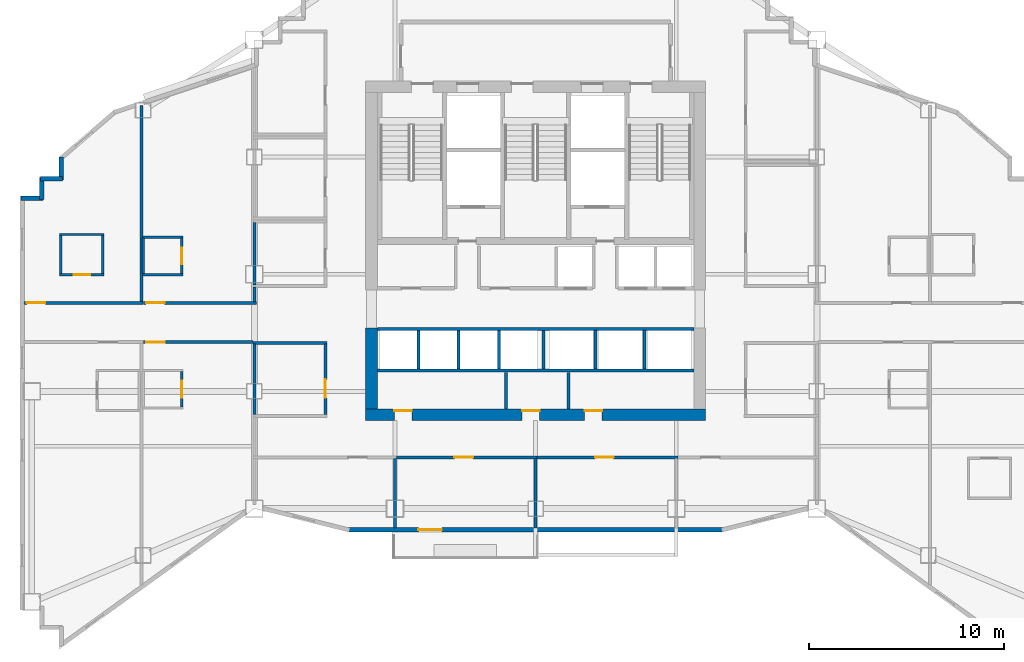
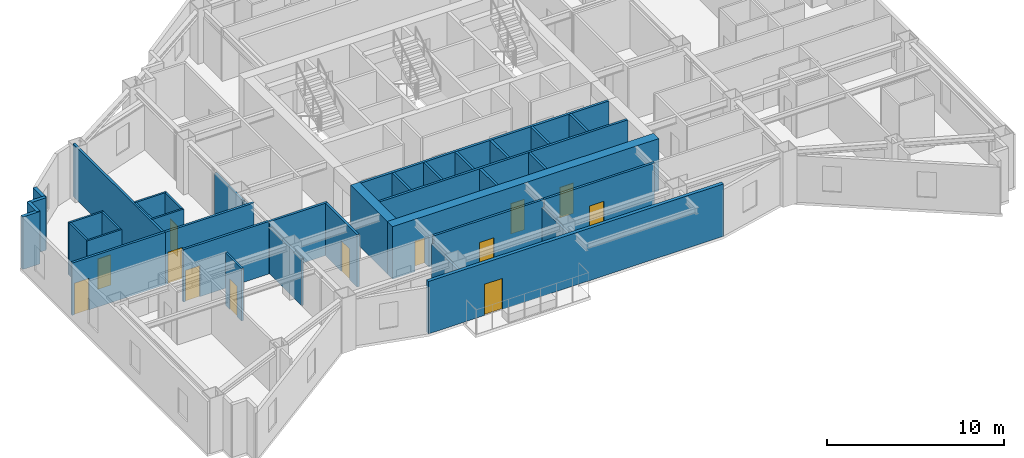
# One storey, part 5 of 11: 39 walls, 13 doors, 13 openings.
"""IFC4 building model written with IfcOpenShell, lengths in metres."""

from ifc_helpers import new_model, si_unit, direction, frame, frame_2d, origin, place, context, subcontext, project, spatial, rectangle, extrude, material, layer, layer_set, type_object, element, fill, save


model = new_model("IFC4")

# Units and contexts
model_context = context("Model", 3, precision=1e-05, world=origin(), true_north=direction((0.0, 1.0)))
body_context = subcontext(model_context, "Body", "Model", "MODEL_VIEW")
ifc_project = project(units=[si_unit("LENGTHUNIT", "METRE"), si_unit("AREAUNIT", "SQUARE_METRE"), si_unit("VOLUMEUNIT", "CUBIC_METRE"), si_unit("PLANEANGLEUNIT", "RADIAN"), si_unit("MASSUNIT", "GRAM", prefix="KILO")], contexts=[model_context])

# Site, building, storey
site_placement = place(None, origin())
site = spatial("IfcSite", under=ifc_project, at=site_placement, CompositionType="ELEMENT")
building_placement = place(site_placement, origin())
building = spatial("IfcBuilding", under=site, at=building_placement, Name="Haolan Belvedere Tower", CompositionType="ELEMENT")
storey_placement = place(building_placement, frame((0.0, 0.0, 172.800048828125)))
storey = spatial("IfcBuildingStorey", under=building, at=storey_placement, Name="L43", CompositionType="ELEMENT", Elevation=172.800048828125)

# Wall, openings, doors
ifc_material_1 = material(Name="Concrete C60/75", Category="concrete")
ifc_layer_1 = layer(ifc_material_1, 0.60009765625, Name="Concrete C60/75")
ifc_layer_set_1 = layer_set([ifc_layer_1], Name="Concrete C60/75")
wall_type_1 = type_object("IfcWallType", Name="WL-CORE-600", PredefinedType="SHEAR", material=ifc_layer_set_1)
wall_1_placement = place(storey_placement, frame((29.699951171875, 26.39990234375, 0.0), z_axis=(0.0, 0.0, 1.0), x_axis=(1.0, 0.0, 0.0)))
wall_1 = element("IfcWall", 1, at=wall_1_placement, inside=storey, type_object=wall_type_1, Name="L43 central core south shear wall", PredefinedType="SHEAR", context=body_context, shape_type="SweptSolid", body=[
    extrude(rectangle(XDim=17.400146484375, YDim=0.60009765625, at=frame_2d((8.7001953125, 0.0))), origin(), (0.0, 0.0, 1.0), 3.619873046875),
])
opening_1_placement = place(wall_1_placement, frame((2.369873046875, 0.0, 0.0), z_axis=(0.0, 0.0, 1.0), x_axis=(-1.0, 0.0, 0.0)))
opening_1 = element("IfcOpeningElement", 2, at=opening_1_placement, cuts=wall_1, Name="Opening FD-05", PredefinedType="OPENING", context=body_context, shape_type="SweptSolid", body=[
    extrude(rectangle(XDim=0.89990234375, YDim=2.10009765625, at=frame_2d((0.449951171875, 1.050048828125))), frame((0.0, 0.31005859375, 0.0), z_axis=(0.0, -1.0, 0.0), x_axis=(1.0, 0.0, 0.0)), (0.0, 0.0, 1.0), 0.6201171875),
])
opening_2_placement = place(wall_1_placement, frame((8.909912109375, 0.0, 0.0), z_axis=(0.0, 0.0, 1.0), x_axis=(-1.0, 0.0, 0.0)))
opening_2 = element("IfcOpeningElement", 3, at=opening_2_placement, cuts=wall_1, Name="Opening FD-05", PredefinedType="OPENING", context=body_context, shape_type="SweptSolid", body=[
    extrude(rectangle(XDim=0.89990234375, YDim=2.10009765625, at=frame_2d((0.449951171875, 1.050048828125))), frame((0.0, 0.31005859375, 0.0), z_axis=(0.0, -1.0, 0.0), x_axis=(1.0, 0.0, 0.0)), (0.0, 0.0, 1.0), 0.6201171875),
])
opening_3_placement = place(wall_1_placement, frame((12.10986328125, 0.0, 0.0), z_axis=(0.0, 0.0, 1.0), x_axis=(-1.0, 0.0, 0.0)))
opening_3 = element("IfcOpeningElement", 4, at=opening_3_placement, cuts=wall_1, Name="Opening FD-05", PredefinedType="OPENING", context=body_context, shape_type="SweptSolid", body=[
    extrude(rectangle(XDim=0.89990234375, YDim=2.10009765625, at=frame_2d((0.449951171875, 1.050048828125))), frame((0.0, 0.31005859375, 0.0), z_axis=(0.0, -1.0, 0.0), x_axis=(1.0, 0.0, 0.0)), (0.0, 0.0, 1.0), 0.6201171875),
])
ifc_material_2 = material(Name="Galvanised fire-rated steel", Category="steel")
door_type_1 = type_object("IfcDoorType", Name="DR-FD60-900", OperationType="NOTDEFINED", PredefinedType="DOOR", material=ifc_material_2)
door_1_placement = place(opening_1_placement, origin())
door_1 = element("IfcDoor", 5, at=door_1_placement, inside=storey, type_object=door_type_1, Name="L43 door CD-L43-SCV-1", OperationType="SINGLE_SWING_LEFT", OverallHeight=2.10009765625, OverallWidth=0.89990234375, PredefinedType="DOOR", context=body_context, shape_type="SweptSolid", body=[
    extrude(rectangle(XDim=0.89990234375, YDim=2.10009765625, at=frame_2d((0.449951171875, 1.050048828125))), frame((0.0, -0.19482421875, 0.0), z_axis=(0.0, -1.0, 0.0), x_axis=(1.0, 0.0, 0.0)), (0.0, 0.0, 1.0), 0.050048828125),
])
fill(opening_1, door_1)
door_2_placement = place(opening_2_placement, origin())
door_2 = element("IfcDoor", 6, at=door_2_placement, inside=storey, type_object=door_type_1, Name="L43 door CD-L43-SCV-2", OperationType="SINGLE_SWING_RIGHT", OverallHeight=2.10009765625, OverallWidth=0.89990234375, PredefinedType="DOOR", context=body_context, shape_type="SweptSolid", body=[
    extrude(rectangle(XDim=0.89990234375, YDim=2.10009765625, at=frame_2d((0.449951171875, 1.050048828125))), frame((0.0, -0.19482421875, 0.0), z_axis=(0.0, -1.0, 0.0), x_axis=(1.0, 0.0, 0.0)), (0.0, 0.0, 1.0), 0.050048828125),
])
fill(opening_2, door_2)
door_3_placement = place(opening_3_placement, origin())
door_3 = element("IfcDoor", 7, at=door_3_placement, inside=storey, type_object=door_type_1, Name="L43 door CD-L43-SCV-3", OperationType="SINGLE_SWING_LEFT", OverallHeight=2.10009765625, OverallWidth=0.89990234375, PredefinedType="DOOR", context=body_context, shape_type="SweptSolid", body=[
    extrude(rectangle(XDim=0.89990234375, YDim=2.10009765625, at=frame_2d((0.449951171875, 1.050048828125))), frame((0.0, -0.19482421875, 0.0), z_axis=(0.0, -1.0, 0.0), x_axis=(1.0, 0.0, 0.0)), (0.0, 0.0, 1.0), 0.050048828125),
])
fill(opening_3, door_3)

# Wall
wall_2_placement = place(storey_placement, frame((30.0, 26.699951171875, 0.0), z_axis=(0.0, 0.0, 1.0), x_axis=(0.0, 1.0, 0.0)))
element("IfcWall", 8, at=wall_2_placement, inside=storey, type_object=wall_type_1, Name="L43 central core shear wall WS", PredefinedType="SHEAR", context=body_context, shape_type="SweptSolid", body=[
    extrude(rectangle(XDim=4.150146484375, YDim=0.60009765625, at=frame_2d((2.0751953125, 0.0))), origin(), (0.0, 0.0, 1.0), 3.619873046875),
])

# Wall, opening, door
ifc_material_3 = material(Name="Precast concrete C40/50", Category="concrete")
ifc_layer_2 = layer(ifc_material_3, 0.219970703125, Name="Precast concrete C40/50")
ifc_layer_set_2 = layer_set([ifc_layer_2], Name="Precast concrete C40/50")
wall_type_2 = type_object("IfcWallType", Name="WL-EXT-220", PredefinedType="SOLIDWALL", material=ifc_layer_set_2)
wall_3_placement = place(storey_placement, frame((28.758544921875, 20.510009765625, 0.0), z_axis=(0.0, 0.0, 1.0), x_axis=(1.0, 0.0, 0.0)))
wall_3 = element("IfcWall", 9, at=wall_3_placement, inside=storey, type_object=wall_type_2, Name="L43 pale-metal exterior spandrel wall 1.1", PredefinedType="SOLIDWALL", context=body_context, shape_type="SweptSolid", body=[
    extrude(rectangle(XDim=19.282958984375, YDim=0.219970703125, at=frame_2d((9.6416015625, 0.0))), origin(), (0.0, 0.0, 1.0), 3.619873046875),
])
opening_4_placement = place(wall_3_placement, frame((4.841552734375, 0.0, 0.0), z_axis=(0.0, 0.0, 1.0), x_axis=(-1.0, 0.0, 0.0)))
opening_4 = element("IfcOpeningElement", 10, at=opening_4_placement, cuts=wall_3, Name="Opening BD-01", PredefinedType="OPENING", context=body_context, shape_type="SweptSolid", body=[
    extrude(rectangle(XDim=1.199951171875, YDim=2.14990234375, at=frame_2d((0.60009765625, 1.074951171875))), frame((0.0, 0.119873046875, 0.0), z_axis=(0.0, -1.0, 0.0), x_axis=(1.0, 0.0, 0.0)), (0.0, 0.0, 1.0), 0.239990234375),
])
ifc_material_4 = material(Name="Thermally broken pale-metal aluminium and Low-E glass", Category="aluminium")
door_type_2 = type_object("IfcDoorType", Name="DR-BAL-1200", OperationType="NOTDEFINED", PredefinedType="DOOR", material=ifc_material_4)
door_4_placement = place(opening_4_placement, origin())
door_4 = element("IfcDoor", 11, at=door_4_placement, inside=storey, type_object=door_type_2, Name="L43 tree-balcony access door 1", OperationType="SINGLE_SWING_LEFT", OverallHeight=2.14990234375, OverallWidth=1.199951171875, PredefinedType="DOOR", context=body_context, shape_type="SweptSolid", body=[
    extrude(rectangle(XDim=1.199951171875, YDim=2.14990234375, at=frame_2d((0.60009765625, 1.074951171875))), frame((0.0, 0.02490234375, 0.0), z_axis=(0.0, -1.0, 0.0), x_axis=(1.0, 0.0, 0.0)), (0.0, 0.0, 1.0), 0.050048828125),
])
fill(opening_4, door_4)

# Walls
wall_4_placement = place(storey_placement, frame((14.110107421875, 39.6044921875, 0.0), z_axis=(0.0, 0.0, 1.0), x_axis=(0.0, -1.0, 0.0)))
element("IfcWall", 12, at=wall_4_placement, inside=storey, type_object=wall_type_2, Name="L43 pale-metal exterior spandrel wall 31.1", PredefinedType="SOLIDWALL", context=body_context, shape_type="SweptSolid", body=[
    extrude(rectangle(XDim=1.16943359375, YDim=0.219970703125, at=frame_2d((0.584716796875, 0.0))), origin(), (0.0, 0.0, 1.0), 3.619873046875),
])
wall_5_placement = place(storey_placement, frame((14.1650390625, 38.489990234375, 0.0), z_axis=(0.0, 0.0, 1.0), x_axis=(-1.0, 0.0, 0.0)))
element("IfcWall", 13, at=wall_5_placement, inside=storey, type_object=wall_type_2, Name="L43 pale-metal exterior spandrel wall 32.1", PredefinedType="SOLIDWALL", context=body_context, shape_type="SweptSolid", body=[
    extrude(rectangle(XDim=1.110107421875, YDim=0.219970703125, at=frame_2d((0.55517578125, 0.0))), origin(), (0.0, 0.0, 1.0), 3.619873046875),
])
wall_6_placement = place(storey_placement, frame((13.110107421875, 38.544921875, 0.0), z_axis=(0.0, 0.0, 1.0), x_axis=(0.0, -1.0, 0.0)))
element("IfcWall", 14, at=wall_6_placement, inside=storey, type_object=wall_type_2, Name="L43 pale-metal exterior spandrel wall 33.1", PredefinedType="SOLIDWALL", context=body_context, shape_type="SweptSolid", body=[
    extrude(rectangle(XDim=1.10986328125, YDim=0.219970703125, at=frame_2d((0.554931640625, 0.0))), origin(), (0.0, 0.0, 1.0), 3.619873046875),
])
wall_7_placement = place(storey_placement, frame((13.1650390625, 37.489990234375, 0.0), z_axis=(0.0, 0.0, 1.0), x_axis=(-1.0, 0.0, 0.0)))
element("IfcWall", 15, at=wall_7_placement, inside=storey, type_object=wall_type_2, Name="L43 pale-metal exterior spandrel wall 34.1", PredefinedType="SOLIDWALL", context=body_context, shape_type="SweptSolid", body=[
    extrude(rectangle(XDim=1.110107421875, YDim=0.219970703125, at=frame_2d((0.55517578125, 0.0))), origin(), (0.0, 0.0, 1.0), 3.619873046875),
])
ifc_material_5 = material(Name="Double gypsum acoustic stud partition", Category="masonry")
ifc_layer_3 = layer(ifc_material_5, 0.14990234375, Name="Double gypsum acoustic stud partition")
ifc_layer_set_3 = layer_set([ifc_layer_3], Name="Double gypsum acoustic stud partition")
wall_type_3 = type_object("IfcWallType", Name="WL-PART-150", PredefinedType="PARTITIONING", material=ifc_layer_set_3)
wall_8_placement = place(storey_placement, frame((30.300048828125, 28.659912109375, 0.0), z_axis=(0.0, 0.0, 1.0), x_axis=(1.0, 0.0, 0.0)))
element("IfcWall", 16, at=wall_8_placement, inside=storey, type_object=wall_type_3, Name="L43 interior partition IW-L43-SSTRIP-N", PredefinedType="PARTITIONING", context=body_context, shape_type="SweptSolid", body=[
    extrude(rectangle(XDim=16.199951171875, YDim=0.14990234375, at=frame_2d((8.10009765625, 0.0))), origin(), (0.0, 0.0, 1.0), 3.619873046875),
])
for number, where, z_axis, x_axis, name in (
    (17, (36.8798828125, 26.7099609375, 0.0), (0.0, 0.0, 1.0), (0.0, 1.0, 0.0), "L43 interior partition IW-L43-SCV-DIV-1"),
    (18, (40.080078125, 26.7099609375, 0.0), (0.0, 0.0, 1.0), (0.0, 1.0, 0.0), "L43 interior partition IW-L43-SCV-DIV-2"),
):
    element("IfcWall", number, at=place(storey_placement, frame(where, z_axis=z_axis, x_axis=x_axis)), inside=storey, type_object=wall_type_3, Name=name, PredefinedType="PARTITIONING", context=body_context, shape_type="SweptSolid", body=[
        extrude(rectangle(XDim=1.8701171875, YDim=0.14990234375, at=frame_2d((0.93505859375, 0.0))), origin(), (0.0, 0.0, 1.0), 3.619873046875),
    ])
wall_9_placement = place(storey_placement, frame((24.0, 33.06005859375, 0.0), z_axis=(0.0, 0.0, 1.0), x_axis=(0.0, 1.0, 0.0)))
element("IfcWall", 19, at=wall_9_placement, inside=storey, type_object=wall_type_3, Name="L43 interior partition IW-L43-AWC-W", PredefinedType="PARTITIONING", context=body_context, shape_type="SweptSolid", body=[
    extrude(rectangle(XDim=3.179931640625, YDim=0.14990234375, at=frame_2d((1.58984375, 0.0))), origin(), (0.0, 0.0, 1.0), 3.21484375),
])
wall_10_placement = place(storey_placement, frame((23.919921875, 30.080078125, 0.0), z_axis=(0.0, 0.0, 1.0), x_axis=(1.0, 0.0, 0.0)))
element("IfcWall", 20, at=wall_10_placement, inside=storey, type_object=wall_type_3, Name="L43 interior partition IW-L43-PKTW-N", PredefinedType="PARTITIONING", context=body_context, shape_type="SweptSolid", body=[
    extrude(rectangle(XDim=3.800048828125, YDim=0.14990234375, at=frame_2d((1.89990234375, 0.0))), origin(), (0.0, 0.0, 1.0), 3.619873046875),
])
wall_11_placement = place(storey_placement, frame((24.0, 26.409912109375, 0.0), z_axis=(0.0, 0.0, 1.0), x_axis=(0.0, 1.0, 0.0)))
element("IfcWall", 21, at=wall_11_placement, inside=storey, type_object=wall_type_3, Name="L43 interior partition IW-L43-PKTW-W", PredefinedType="PARTITIONING", context=body_context, shape_type="SweptSolid", body=[
    extrude(rectangle(XDim=3.610107421875, YDim=0.14990234375, at=frame_2d((1.80517578125, 0.0))), origin(), (0.0, 0.0, 1.0), 3.21484375),
])

# Wall, opening, door
wall_12_placement = place(storey_placement, frame((27.639892578125, 26.409912109375, 0.0), z_axis=(0.0, 0.0, 1.0), x_axis=(0.0, 1.0, 0.0)))
wall_12 = element("IfcWall", 22, at=wall_12_placement, inside=storey, type_object=wall_type_3, Name="L43 interior partition IW-L43-PKTW-E", PredefinedType="PARTITIONING", context=body_context, shape_type="SweptSolid", body=[
    extrude(rectangle(XDim=3.610107421875, YDim=0.14990234375, at=frame_2d((1.80517578125, 0.0))), origin(), (0.0, 0.0, 1.0), 3.619873046875),
])
opening_5_placement = place(wall_12_placement, frame((1.81005859375, 0.0, 0.0), z_axis=(0.0, 0.0, 1.0), x_axis=(-1.0, 0.0, 0.0)))
opening_5 = element("IfcOpeningElement", 23, at=opening_5_placement, cuts=wall_12, Name="Opening ID-03", PredefinedType="OPENING", context=body_context, shape_type="SweptSolid", body=[
    extrude(rectangle(XDim=0.949951171875, YDim=2.1201171875, at=frame_2d((0.47509765625, 1.06005859375))), frame((0.0, 0.0849609375, 0.0), z_axis=(0.0, -1.0, 0.0), x_axis=(1.0, 0.0, 0.0)), (0.0, 0.0, 1.0), 0.169921875),
])
ifc_material_6 = material(Name="Painted solid-core timber", Category="wood")
door_type_3 = type_object("IfcDoorType", Name="DR-INT-950", OperationType="NOTDEFINED", PredefinedType="DOOR", material=ifc_material_6)
door_5_placement = place(opening_5_placement, origin())
door_5 = element("IfcDoor", 24, at=door_5_placement, inside=storey, type_object=door_type_3, Name="L43 door ID-L43-PKTW", OperationType="SINGLE_SWING_LEFT", OverallHeight=2.1201171875, OverallWidth=0.949951171875, PredefinedType="DOOR", context=body_context, shape_type="SweptSolid", body=[
    extrude(rectangle(XDim=0.949951171875, YDim=2.1201171875, at=frame_2d((0.47509765625, 1.06005859375))), frame((0.0, 0.02490234375, 0.0), z_axis=(0.0, -1.0, 0.0), x_axis=(1.0, 0.0, 0.0)), (0.0, 0.0, 1.0), 0.050048828125),
])
fill(opening_5, door_5)

# Wall
wall_13_placement = place(storey_placement, frame((31.199951171875, 20.612060546875, 0.0), z_axis=(0.0, 0.0, 1.0), x_axis=(0.0, 1.0, 0.0)))
element("IfcWall", 25, at=wall_13_placement, inside=storey, type_object=wall_type_3, Name="L43 interior partition IW-L43-KS1-E", PredefinedType="PARTITIONING", context=body_context, shape_type="SweptSolid", body=[
    extrude(rectangle(XDim=3.5478515625, YDim=0.14990234375, at=frame_2d((1.77392578125, 0.0))), origin(), (0.0, 0.0, 1.0), 3.10498046875),
])

# Wall, opening, door
wall_14_placement = place(storey_placement, frame((31.281982421875, 24.219970703125, 0.0), z_axis=(0.0, 0.0, 1.0), x_axis=(1.0, 0.0, 0.0)))
wall_14 = element("IfcWall", 26, at=wall_14_placement, inside=storey, type_object=wall_type_3, Name="L43 interior partition IW-L43-KS2-N", PredefinedType="PARTITIONING", context=body_context, shape_type="SweptSolid", body=[
    extrude(rectangle(XDim=7.197998046875, YDim=0.14990234375, at=frame_2d((3.59912109375, 0.0))), origin(), (0.0, 0.0, 1.0), 3.619873046875),
])
opening_6_placement = place(wall_14_placement, frame((3.912841796875, 0.0, 0.0), z_axis=(0.0, 0.0, 1.0), x_axis=(-1.0, 0.0, 0.0)))
opening_6 = element("IfcOpeningElement", 27, at=opening_6_placement, cuts=wall_14, Name="Opening ID-03", PredefinedType="OPENING", context=body_context, shape_type="SweptSolid", body=[
    extrude(rectangle(XDim=0.949951171875, YDim=2.1201171875, at=frame_2d((0.47509765625, 1.06005859375))), frame((0.0, 0.0849609375, 0.0), z_axis=(0.0, -1.0, 0.0), x_axis=(1.0, 0.0, 0.0)), (0.0, 0.0, 1.0), 0.169921875),
])
door_6_placement = place(opening_6_placement, origin())
door_6 = element("IfcDoor", 28, at=door_6_placement, inside=storey, type_object=door_type_3, Name="L43 door ID-L43-KS2", OperationType="SINGLE_SWING_RIGHT", OverallHeight=2.1201171875, OverallWidth=0.949951171875, PredefinedType="DOOR", context=body_context, shape_type="SweptSolid", body=[
    extrude(rectangle(XDim=0.949951171875, YDim=2.1201171875, at=frame_2d((0.47509765625, 1.06005859375))), frame((0.0, 0.02490234375, 0.0), z_axis=(0.0, -1.0, 0.0), x_axis=(1.0, 0.0, 0.0)), (0.0, 0.0, 1.0), 0.050048828125),
])
fill(opening_6, door_6)

# Wall
wall_15_placement = place(storey_placement, frame((38.39990234375, 20.612060546875, 0.0), z_axis=(0.0, 0.0, 1.0), x_axis=(0.0, 1.0, 0.0)))
element("IfcWall", 29, at=wall_15_placement, inside=storey, type_object=wall_type_3, Name="L43 interior partition IW-L43-KS2-E", PredefinedType="PARTITIONING", context=body_context, shape_type="SweptSolid", body=[
    extrude(rectangle(XDim=3.5478515625, YDim=0.14990234375, at=frame_2d((1.77392578125, 0.0))), origin(), (0.0, 0.0, 1.0), 3.10498046875),
])

# Wall, opening, door
wall_16_placement = place(storey_placement, frame((38.48193359375, 24.219970703125, 0.0), z_axis=(0.0, 0.0, 1.0), x_axis=(1.0, 0.0, 0.0)))
wall_16 = element("IfcWall", 30, at=wall_16_placement, inside=storey, type_object=wall_type_3, Name="L43 interior partition IW-L43-KS3-N", PredefinedType="PARTITIONING", context=body_context, shape_type="SweptSolid", body=[
    extrude(rectangle(XDim=7.197998046875, YDim=0.14990234375, at=frame_2d((3.59912109375, 0.0))), origin(), (0.0, 0.0, 1.0), 3.619873046875),
])
opening_7_placement = place(wall_16_placement, frame((3.912841796875, 0.0, 0.0), z_axis=(0.0, 0.0, 1.0), x_axis=(-1.0, 0.0, 0.0)))
opening_7 = element("IfcOpeningElement", 31, at=opening_7_placement, cuts=wall_16, Name="Opening ID-03", PredefinedType="OPENING", context=body_context, shape_type="SweptSolid", body=[
    extrude(rectangle(XDim=0.949951171875, YDim=2.1201171875, at=frame_2d((0.47509765625, 1.06005859375))), frame((0.0, 0.0849609375, 0.0), z_axis=(0.0, -1.0, 0.0), x_axis=(1.0, 0.0, 0.0)), (0.0, 0.0, 1.0), 0.169921875),
])
door_7_placement = place(opening_7_placement, origin())
door_7 = element("IfcDoor", 32, at=door_7_placement, inside=storey, type_object=door_type_3, Name="L43 door ID-L43-KS3", OperationType="SINGLE_SWING_LEFT", OverallHeight=2.1201171875, OverallWidth=0.949951171875, PredefinedType="DOOR", context=body_context, shape_type="SweptSolid", body=[
    extrude(rectangle(XDim=0.949951171875, YDim=2.1201171875, at=frame_2d((0.47509765625, 1.06005859375))), frame((0.0, 0.02490234375, 0.0), z_axis=(0.0, -1.0, 0.0), x_axis=(1.0, 0.0, 0.0)), (0.0, 0.0, 1.0), 0.050048828125),
])
fill(opening_7, door_7)

wall_17_placement = place(storey_placement, frame((12.2119140625, 32.1298828125, 0.0), z_axis=(0.0, 0.0, 1.0), x_axis=(1.0, 0.0, 0.0)))
wall_17 = element("IfcWall", 33, at=wall_17_placement, inside=storey, type_object=wall_type_3, Name="L43 interior partition IW-L43-T2N1-S", PredefinedType="PARTITIONING", context=body_context, shape_type="SweptSolid", body=[
    extrude(rectangle(XDim=6.09814453125, YDim=0.14990234375, at=frame_2d((3.049072265625, 0.0))), origin(), (0.0, 0.0, 1.0), 3.619873046875),
])
opening_8_placement = place(wall_17_placement, frame((0.139892578125, 0.0, 0.0)))
opening_8 = element("IfcOpeningElement", 34, at=opening_8_placement, cuts=wall_17, Name="Opening ID-01", PredefinedType="OPENING", context=body_context, shape_type="SweptSolid", body=[
    extrude(rectangle(XDim=0.949951171875, YDim=2.179931640625, at=frame_2d((0.47509765625, 1.08984375))), frame((0.0, 0.0849609375, 0.0), z_axis=(0.0, -1.0, 0.0), x_axis=(1.0, 0.0, 0.0)), (0.0, 0.0, 1.0), 0.169921875),
])
ifc_material_7 = material(Name="Acoustic walnut veneer fire-rated timber", Category="wood")
door_type_4 = type_object("IfcDoorType", Name="DR-SUITE-950", OperationType="NOTDEFINED", PredefinedType="DOOR", material=ifc_material_7)
door_8_placement = place(opening_8_placement, origin())
door_8 = element("IfcDoor", 35, at=door_8_placement, inside=storey, type_object=door_type_4, Name="L43 door ID-L43-T2N1-ENT", OperationType="SINGLE_SWING_LEFT", OverallHeight=2.179931640625, OverallWidth=0.949951171875, PredefinedType="DOOR", context=body_context, shape_type="SweptSolid", body=[
    extrude(rectangle(XDim=0.949951171875, YDim=2.179931640625, at=frame_2d((0.47509765625, 1.08984375))), frame((0.0, 0.02490234375, 0.0), z_axis=(0.0, -1.0, 0.0), x_axis=(1.0, 0.0, 0.0)), (0.0, 0.0, 1.0), 0.050048828125),
])
fill(opening_8, door_8)

# Wall
wall_18_placement = place(storey_placement, frame((18.2099609375, 32.18994140625, 0.0), z_axis=(0.0, 0.0, 1.0), x_axis=(0.0, 1.0, 0.0)))
element("IfcWall", 36, at=wall_18_placement, inside=storey, type_object=wall_type_3, Name="L43 interior partition IW-L43-T2N1-E", PredefinedType="PARTITIONING", context=body_context, shape_type="SweptSolid", body=[
    extrude(rectangle(XDim=10.056640625, YDim=0.14990234375, at=frame_2d((5.0283203125, 0.0))), origin(), (0.0, 0.0, 1.0), 3.619873046875),
])

# Wall, opening, door
wall_19_placement = place(storey_placement, frame((18.31201171875, 32.1298828125, 0.0), z_axis=(0.0, 0.0, 1.0), x_axis=(1.0, 0.0, 0.0)))
wall_19 = element("IfcWall", 37, at=wall_19_placement, inside=storey, type_object=wall_type_3, Name="L43 interior partition IW-L43-T2N2-S", PredefinedType="PARTITIONING", context=body_context, shape_type="SweptSolid", body=[
    extrude(rectangle(XDim=5.7880859375, YDim=0.14990234375, at=frame_2d((2.89404296875, 0.0))), origin(), (0.0, 0.0, 1.0), 3.619873046875),
])
opening_9_placement = place(wall_19_placement, frame((0.139892578125, 0.0, 0.0)))
opening_9 = element("IfcOpeningElement", 38, at=opening_9_placement, cuts=wall_19, Name="Opening ID-01", PredefinedType="OPENING", context=body_context, shape_type="SweptSolid", body=[
    extrude(rectangle(XDim=0.949951171875, YDim=2.179931640625, at=frame_2d((0.47509765625, 1.08984375))), frame((0.0, 0.0849609375, 0.0), z_axis=(0.0, -1.0, 0.0), x_axis=(1.0, 0.0, 0.0)), (0.0, 0.0, 1.0), 0.169921875),
])
door_9_placement = place(opening_9_placement, origin())
door_9 = element("IfcDoor", 39, at=door_9_placement, inside=storey, type_object=door_type_4, Name="L43 door ID-L43-T2N2-ENT", OperationType="SINGLE_SWING_RIGHT", OverallHeight=2.179931640625, OverallWidth=0.949951171875, PredefinedType="DOOR", context=body_context, shape_type="SweptSolid", body=[
    extrude(rectangle(XDim=0.949951171875, YDim=2.179931640625, at=frame_2d((0.47509765625, 1.08984375))), frame((0.0, 0.02490234375, 0.0), z_axis=(0.0, -1.0, 0.0), x_axis=(1.0, 0.0, 0.0)), (0.0, 0.0, 1.0), 0.050048828125),
])
fill(opening_9, door_9)

# Wall
wall_20_placement = place(storey_placement, frame((24.0, 32.18994140625, 0.0), z_axis=(0.0, 0.0, 1.0), x_axis=(0.0, 1.0, 0.0)))
element("IfcWall", 40, at=wall_20_placement, inside=storey, type_object=wall_type_3, Name="L43 interior partition IW-L43-T2N2-E", PredefinedType="PARTITIONING", context=body_context, shape_type="SweptSolid", body=[
    extrude(rectangle(XDim=0.75, YDim=0.14990234375, at=frame_2d((0.375, 0.0))), origin(), (0.0, 0.0, 1.0), 3.21484375),
])

# Wall, opening, door
wall_21_placement = place(storey_placement, frame((18.31201171875, 30.1201171875, 0.0), z_axis=(0.0, 0.0, 1.0), x_axis=(1.0, 0.0, 0.0)))
wall_21 = element("IfcWall", 41, at=wall_21_placement, inside=storey, type_object=wall_type_3, Name="L43 interior partition IW-L43-T2S2-N", PredefinedType="PARTITIONING", context=body_context, shape_type="SweptSolid", body=[
    extrude(rectangle(XDim=5.60595703125, YDim=0.14990234375, at=frame_2d((2.802978515625, 0.0))), origin(), (0.0, 0.0, 1.0), 3.619873046875),
])
opening_10_placement = place(wall_21_placement, frame((1.08984375, 0.0, 0.0), z_axis=(0.0, 0.0, 1.0), x_axis=(-1.0, 0.0, 0.0)))
opening_10 = element("IfcOpeningElement", 42, at=opening_10_placement, cuts=wall_21, Name="Opening ID-02", PredefinedType="OPENING", context=body_context, shape_type="SweptSolid", body=[
    extrude(rectangle(XDim=0.949951171875, YDim=2.14990234375, at=frame_2d((0.47509765625, 1.074951171875))), frame((0.0, 0.0849609375, 0.0), z_axis=(0.0, -1.0, 0.0), x_axis=(1.0, 0.0, 0.0)), (0.0, 0.0, 1.0), 0.169921875),
])
ifc_material_8 = material(Name="Acoustic oak veneer fire-rated timber", Category="wood")
door_type_5 = type_object("IfcDoorType", Name="DR-GUEST-950", OperationType="NOTDEFINED", PredefinedType="DOOR", material=ifc_material_8)
door_10_placement = place(opening_10_placement, origin())
door_10 = element("IfcDoor", 43, at=door_10_placement, inside=storey, type_object=door_type_5, Name="L43 door ID-L43-T2S2-ENT", OperationType="SINGLE_SWING_RIGHT", OverallHeight=2.14990234375, OverallWidth=0.949951171875, PredefinedType="DOOR", context=body_context, shape_type="SweptSolid", body=[
    extrude(rectangle(XDim=0.949951171875, YDim=2.14990234375, at=frame_2d((0.47509765625, 1.074951171875))), frame((0.0, 0.02490234375, 0.0), z_axis=(0.0, -1.0, 0.0), x_axis=(1.0, 0.0, 0.0)), (0.0, 0.0, 1.0), 0.050048828125),
])
fill(opening_10, door_10)

# Walls
ifc_material_9 = material(Name="Gypsum fire shaftwall assembly", Category="masonry")
ifc_layer_4 = layer(ifc_material_9, 0.1650390625, Name="Gypsum fire shaftwall assembly")
ifc_layer_set_4 = layer_set([ifc_layer_4], Name="Gypsum fire shaftwall assembly")
wall_type_4 = type_object("IfcWallType", Name="WL-SHAFT-160", PredefinedType="SOLIDWALL", material=ifc_layer_set_4)
wall_22_placement = place(storey_placement, frame((30.300048828125, 30.800048828125, 0.0), z_axis=(0.0, 0.0, 1.0), x_axis=(1.0, 0.0, 0.0)))
element("IfcWall", 44, at=wall_22_placement, inside=storey, type_object=wall_type_4, Name="L43 interior partition IW-L43-ROW-PS", PredefinedType="SOLIDWALL", context=body_context, shape_type="SweptSolid", body=[
    extrude(rectangle(XDim=16.199951171875, YDim=0.159912109375, at=frame_2d((8.10009765625, 0.0))), origin(), (0.0, 0.0, 1.0), 3.619873046875),
])
for number, where, z_axis, x_axis, name in (
    (45, (32.39990234375, 28.735107421875, 0.0), (0.0, 0.0, 1.0), (0.0, 1.0, 0.0), "L43 interior partition IW-L43-DIV-PM1"),
    (46, (34.4599609375, 28.735107421875, 0.0), (0.0, 0.0, 1.0), (0.0, 1.0, 0.0), "L43 interior partition IW-L43-DIV-PM2"),
    (47, (36.52001953125, 28.735107421875, 0.0), (0.0, 0.0, 1.0), (0.0, 1.0, 0.0), "L43 interior partition IW-L43-DIV-PM3"),
    (48, (38.800048828125, 28.735107421875, 0.0), (0.0, 0.0, 1.0), (0.0, 1.0, 0.0), "L43 interior partition IW-L43-DIV-PM4"),
):
    element("IfcWall", number, at=place(storey_placement, frame(where, z_axis=z_axis, x_axis=x_axis)), inside=storey, type_object=wall_type_4, Name=name, PredefinedType="SOLIDWALL", context=body_context, shape_type="SweptSolid", body=[
        extrude(rectangle(XDim=1.98486328125, YDim=0.14990234375, at=frame_2d((0.992431640625, 0.0))), origin(), (0.0, 0.0, 1.0), 3.619873046875),
    ])
for number, where, z_axis, x_axis, name in (
    (49, (41.469970703125, 28.75, 0.0), (0.0, 0.0, 1.0), (0.0, 1.0, 0.0), "L43 interior partition IW-L43-DIV-OB1"),
    (50, (43.97998046875, 28.75, 0.0), (0.0, 0.0, 1.0), (0.0, 1.0, 0.0), "L43 interior partition IW-L43-DIV-OB2"),
):
    element("IfcWall", number, at=place(storey_placement, frame(where, z_axis=z_axis, x_axis=x_axis)), inside=storey, type_object=wall_type_4, Name=name, PredefinedType="SOLIDWALL", context=body_context, shape_type="SweptSolid", body=[
        extrude(rectangle(XDim=1.985107421875, YDim=0.14990234375, at=frame_2d((0.99267578125, 0.0))), origin(), (0.0, 0.0, 1.0), 3.619873046875),
    ])
ifc_material_10 = material(Name="Moisture-resistant gypsum tile partition", Category="masonry")
ifc_layer_5 = layer(ifc_material_10, 0.1201171875, Name="Moisture-resistant gypsum tile partition")
ifc_layer_set_5 = layer_set([ifc_layer_5], Name="Moisture-resistant gypsum tile partition")
wall_type_5 = type_object("IfcWallType", Name="WL-WET-120", PredefinedType="PARTITIONING", material=ifc_layer_set_5)
wall_23_placement = place(storey_placement, frame((14.034912109375, 35.6298828125, 0.0), z_axis=(0.0, 0.0, 1.0), x_axis=(1.0, 0.0, 0.0)))
element("IfcWall", 51, at=wall_23_placement, inside=storey, type_object=wall_type_5, Name="L43 interior partition IW-L43-T2N1-BN", PredefinedType="PARTITIONING", context=body_context, shape_type="SweptSolid", body=[
    extrude(rectangle(XDim=2.27001953125, YDim=0.1201171875, at=frame_2d((1.135009765625, 0.0))), origin(), (0.0, 0.0, 1.0), 3.619873046875),
])

# Wall, opening, door
wall_24_placement = place(storey_placement, frame((14.034912109375, 33.580078125, 0.0), z_axis=(0.0, 0.0, 1.0), x_axis=(1.0, 0.0, 0.0)))
wall_24 = element("IfcWall", 52, at=wall_24_placement, inside=storey, type_object=wall_type_5, Name="L43 interior partition IW-L43-T2N1-BS", PredefinedType="PARTITIONING", context=body_context, shape_type="SweptSolid", body=[
    extrude(rectangle(XDim=2.27001953125, YDim=0.1201171875, at=frame_2d((1.135009765625, 0.0))), origin(), (0.0, 0.0, 1.0), 3.619873046875),
])
opening_11_placement = place(wall_24_placement, frame((0.7099609375, 0.0, 0.0)))
opening_11 = element("IfcOpeningElement", 53, at=opening_11_placement, cuts=wall_24, Name="Opening ID-05", PredefinedType="OPENING", context=body_context, shape_type="SweptSolid", body=[
    extrude(rectangle(XDim=0.85009765625, YDim=2.10009765625, at=frame_2d((0.425048828125, 1.050048828125))), frame((0.0, 0.070068359375, 0.0), z_axis=(0.0, -1.0, 0.0), x_axis=(1.0, 0.0, 0.0)), (0.0, 0.0, 1.0), 0.14013671875),
])
ifc_material_11 = material(Name="Moisture-resistant lacquered timber", Category="wood")
door_type_6 = type_object("IfcDoorType", Name="DR-BATH-850", OperationType="NOTDEFINED", PredefinedType="DOOR", material=ifc_material_11)
door_11_placement = place(opening_11_placement, origin())
door_11 = element("IfcDoor", 54, at=door_11_placement, inside=storey, type_object=door_type_6, Name="L43 door ID-L43-T2N1-BATH", OperationType="SINGLE_SWING_RIGHT", OverallHeight=2.10009765625, OverallWidth=0.85009765625, PredefinedType="DOOR", context=body_context, shape_type="SweptSolid", body=[
    extrude(rectangle(XDim=0.85009765625, YDim=2.10009765625, at=frame_2d((0.425048828125, 1.050048828125))), frame((0.0, 0.02490234375, 0.0), z_axis=(0.0, -1.0, 0.0), x_axis=(1.0, 0.0, 0.0)), (0.0, 0.0, 1.0), 0.050048828125),
])
fill(opening_11, door_11)

# Walls
for number, where, z_axis, x_axis, name in (
    (55, (14.094970703125, 33.625, 0.0), (0.0, 0.0, 1.0), (0.0, 1.0, 0.0), "L43 interior partition IW-L43-T2N1-BW"),
    (56, (16.2451171875, 33.625, 0.0), (0.0, 0.0, 1.0), (0.0, 1.0, 0.0), "L43 interior partition IW-L43-T2N1-BE"),
):
    element("IfcWall", number, at=place(storey_placement, frame(where, z_axis=z_axis, x_axis=x_axis)), inside=storey, type_object=wall_type_5, Name=name, PredefinedType="PARTITIONING", context=body_context, shape_type="SweptSolid", body=[
        extrude(rectangle(XDim=1.9599609375, YDim=0.1201171875, at=frame_2d((0.97998046875, 0.0))), origin(), (0.0, 0.0, 1.0), 3.619873046875),
    ])
for number, where, z_axis, x_axis, name in (
    (57, (18.27001953125, 35.5, 0.0), (0.0, 0.0, 1.0), (1.0, 0.0, 0.0), "L43 interior partition IW-L43-T2N2-BN"),
    (58, (18.27001953125, 33.580078125, 0.0), (0.0, 0.0, 1.0), (1.0, 0.0, 0.0), "L43 interior partition IW-L43-T2N2-BS"),
):
    element("IfcWall", number, at=place(storey_placement, frame(where, z_axis=z_axis, x_axis=x_axis)), inside=storey, type_object=wall_type_5, Name=name, PredefinedType="PARTITIONING", context=body_context, shape_type="SweptSolid", body=[
        extrude(rectangle(XDim=2.080078125, YDim=0.1201171875, at=frame_2d((1.0400390625, 0.0))), origin(), (0.0, 0.0, 1.0), 3.619873046875),
    ])
wall_25_placement = place(storey_placement, frame((18.31005859375, 33.625, 0.0), z_axis=(0.0, 0.0, 1.0), x_axis=(0.0, 1.0, 0.0)))
element("IfcWall", 59, at=wall_25_placement, inside=storey, type_object=wall_type_5, Name="L43 interior partition IW-L43-T2N2-BW", PredefinedType="PARTITIONING", context=body_context, shape_type="SweptSolid", body=[
    extrude(rectangle(XDim=1.830078125, YDim=0.1201171875, at=frame_2d((0.9150390625, 0.0))), origin(), (0.0, 0.0, 1.0), 3.619873046875),
])

# Wall, opening, door
wall_26_placement = place(storey_placement, frame((20.2900390625, 33.625, 0.0), z_axis=(0.0, 0.0, 1.0), x_axis=(0.0, 1.0, 0.0)))
wall_26 = element("IfcWall", 60, at=wall_26_placement, inside=storey, type_object=wall_type_5, Name="L43 interior partition IW-L43-T2N2-BE", PredefinedType="PARTITIONING", context=body_context, shape_type="SweptSolid", body=[
    extrude(rectangle(XDim=1.830078125, YDim=0.1201171875, at=frame_2d((0.9150390625, 0.0))), origin(), (0.0, 0.0, 1.0), 3.619873046875),
])
opening_12_placement = place(wall_26_placement, frame((0.489990234375, 0.0, 0.0)))
opening_12 = element("IfcOpeningElement", 61, at=opening_12_placement, cuts=wall_26, Name="Opening ID-05", PredefinedType="OPENING", context=body_context, shape_type="SweptSolid", body=[
    extrude(rectangle(XDim=0.85009765625, YDim=2.10009765625, at=frame_2d((0.425048828125, 1.050048828125))), frame((0.0, 0.070068359375, 0.0), z_axis=(0.0, -1.0, 0.0), x_axis=(1.0, 0.0, 0.0)), (0.0, 0.0, 1.0), 0.14013671875),
])
door_12_placement = place(opening_12_placement, origin())
door_12 = element("IfcDoor", 62, at=door_12_placement, inside=storey, type_object=door_type_6, Name="L43 door ID-L43-T2N2-BATH", OperationType="SINGLE_SWING_LEFT", OverallHeight=2.10009765625, OverallWidth=0.85009765625, PredefinedType="DOOR", context=body_context, shape_type="SweptSolid", body=[
    extrude(rectangle(XDim=0.85009765625, YDim=2.10009765625, at=frame_2d((0.425048828125, 1.050048828125))), frame((0.0, 0.02490234375, 0.0), z_axis=(0.0, -1.0, 0.0), x_axis=(1.0, 0.0, 0.0)), (0.0, 0.0, 1.0), 0.050048828125),
])
fill(opening_12, door_12)

wall_27_placement = place(storey_placement, frame((20.2900390625, 26.794921875, 0.0), z_axis=(0.0, 0.0, 1.0), x_axis=(0.0, 1.0, 0.0)))
wall_27 = element("IfcWall", 63, at=wall_27_placement, inside=storey, type_object=wall_type_5, Name="L43 interior partition IW-L43-T2S2-BE", PredefinedType="PARTITIONING", context=body_context, shape_type="SweptSolid", body=[
    extrude(rectangle(XDim=1.830078125, YDim=0.1201171875, at=frame_2d((0.9150390625, 0.0))), origin(), (0.0, 0.0, 1.0), 3.619873046875),
])
opening_13_placement = place(wall_27_placement, frame((0.489990234375, 0.0, 0.0)))
opening_13 = element("IfcOpeningElement", 64, at=opening_13_placement, cuts=wall_27, Name="Opening ID-05", PredefinedType="OPENING", context=body_context, shape_type="SweptSolid", body=[
    extrude(rectangle(XDim=0.85009765625, YDim=2.10009765625, at=frame_2d((0.425048828125, 1.050048828125))), frame((0.0, 0.070068359375, 0.0), z_axis=(0.0, -1.0, 0.0), x_axis=(1.0, 0.0, 0.0)), (0.0, 0.0, 1.0), 0.14013671875),
])
door_13_placement = place(opening_13_placement, origin())
door_13 = element("IfcDoor", 65, at=door_13_placement, inside=storey, type_object=door_type_6, Name="L43 door ID-L43-T2S2-BATH", OperationType="SINGLE_SWING_LEFT", OverallHeight=2.10009765625, OverallWidth=0.85009765625, PredefinedType="DOOR", context=body_context, shape_type="SweptSolid", body=[
    extrude(rectangle(XDim=0.85009765625, YDim=2.10009765625, at=frame_2d((0.425048828125, 1.050048828125))), frame((0.0, 0.02490234375, 0.0), z_axis=(0.0, -1.0, 0.0), x_axis=(1.0, 0.0, 0.0)), (0.0, 0.0, 1.0), 0.050048828125),
])
fill(opening_13, door_13)

save(model, "model.ifc")
